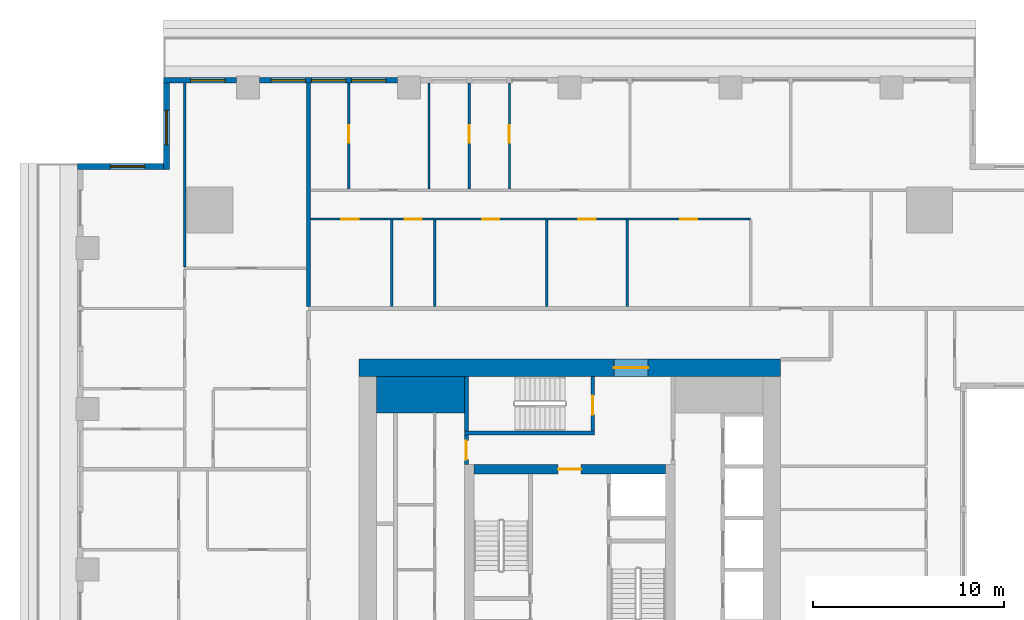
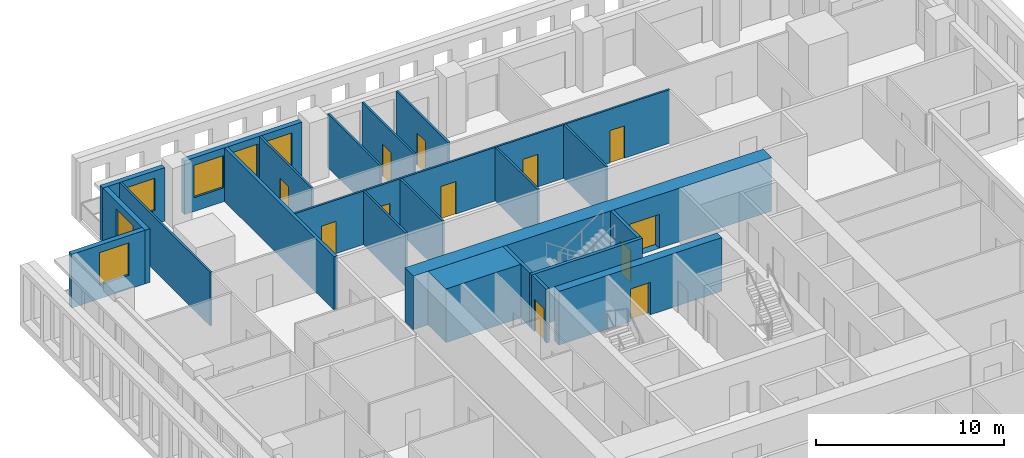
# One storey, part 7 of 15: 22 walls, 12 doors, 6 windows, 18 openings.
"""IFC4 building model written with IfcOpenShell, lengths in metres."""

from ifc_helpers import new_model, si_unit, direction, frame, frame_2d, origin, place, context, subcontext, project, spatial, rectangle, extrude, material, layer, layer_set, type_object, element, fill, save


model = new_model("IFC4")

# Units and contexts
model_context = context("Model", 3, precision=1e-05, world=origin(), true_north=direction((0.0, 1.0)))
body_context = subcontext(model_context, "Body", "Model", "MODEL_VIEW")
ifc_project = project(units=[si_unit("LENGTHUNIT", "METRE"), si_unit("AREAUNIT", "SQUARE_METRE"), si_unit("VOLUMEUNIT", "CUBIC_METRE"), si_unit("PLANEANGLEUNIT", "RADIAN"), si_unit("MASSUNIT", "GRAM", prefix="KILO")], contexts=[model_context])

# Site, building, storey
site_placement = place(None, origin())
site = spatial("IfcSite", under=ifc_project, at=site_placement, CompositionType="ELEMENT")
building_placement = place(site_placement, origin())
building = spatial("IfcBuilding", under=site, at=building_placement, Name="Khepri Terraces", CompositionType="ELEMENT")
storey_placement = place(building_placement, frame((0.0, 0.0, 215.699951171875)))
storey = spatial("IfcBuildingStorey", under=building, at=storey_placement, Name="L51", CompositionType="ELEMENT", Elevation=215.699951171875)

# Walls
ifc_material_1 = material(Name="Concrete C50/60", Category="concrete")
ifc_layer_1 = layer(ifc_material_1, 1.89990234375, Name="Concrete C50/60", Category="concrete")
ifc_layer_set_1 = layer_set([ifc_layer_1], Name="Concrete C50/60")
wall_type_1 = type_object("IfcWallType", Name="Core wall 1900 C50/60", PredefinedType="SHEAR", material=ifc_layer_set_1)
wall_1_placement = place(storey_placement, frame((-10.10009765625, 9.14990234375, 0.0), z_axis=(0.0, 0.0, 1.0), x_axis=(1.0, 0.0, 0.0)))
element("IfcWall", 1, at=wall_1_placement, inside=storey, type_object=wall_type_1, Name="Core wall PR03 L51", PredefinedType="SHEAR", context=body_context, shape_type="SweptSolid", body=[
    extrude(rectangle(XDim=4.60009765625, YDim=1.89990234375, at=frame_2d((2.300048828125, 0.0))), origin(), (0.0, 0.0, 1.0), 3.47998046875),
])
ifc_layer_2 = layer(ifc_material_1, 0.199951171875, Name="Concrete C50/60", Category="concrete")
ifc_layer_set_2 = layer_set([ifc_layer_2], Name="Concrete C50/60")
wall_type_2 = type_object("IfcWallType", Name="Core wall 200 C50/60", PredefinedType="SHEAR", material=ifc_layer_set_2)
wall_2_placement = place(storey_placement, frame((-5.5, 7.14990234375, 0.0), z_axis=(0.0, 0.0, 1.0), x_axis=(1.0, 0.0, 0.0)))
element("IfcWall", 2, at=wall_2_placement, inside=storey, type_object=wall_type_2, Name="Core wall ST05 L51", PredefinedType="SHEAR", context=body_context, shape_type="SweptSolid", body=[
    extrude(rectangle(XDim=6.800048828125, YDim=0.199951171875, at=frame_2d((3.39990234375, 0.0))), origin(), (0.0, 0.0, 1.0), 3.47998046875),
])
wall_3_placement = place(storey_placement, frame((-5.39990234375, 7.25, 0.0), z_axis=(0.0, 0.0, 1.0), x_axis=(0.0, 1.0, 0.0)))
element("IfcWall", 3, at=wall_3_placement, inside=storey, type_object=wall_type_2, Name="Core wall ST06 L51", PredefinedType="SHEAR", context=body_context, shape_type="SweptSolid", body=[
    extrude(rectangle(XDim=2.85009765625, YDim=0.199951171875, at=frame_2d((1.425048828125, 0.0))), origin(), (0.0, 0.0, 1.0), 3.47998046875),
])

# Wall, opening, door
wall_4_placement = place(storey_placement, frame((1.199951171875, 7.25, 0.0), z_axis=(0.0, 0.0, 1.0), x_axis=(0.0, 1.0, 0.0)))
wall_4 = element("IfcWall", 4, at=wall_4_placement, inside=storey, type_object=wall_type_2, Name="Core wall ST07 L51", PredefinedType="SHEAR", context=body_context, shape_type="SweptSolid", body=[
    extrude(rectangle(XDim=2.85009765625, YDim=0.199951171875, at=frame_2d((1.425048828125, 0.0))), origin(), (0.0, 0.0, 1.0), 3.47998046875),
])
opening_1_placement = place(wall_4_placement, frame((0.85009765625, 0.0, 0.0)))
opening_1 = element("IfcOpeningElement", 5, at=opening_1_placement, cuts=wall_4, Name="Opening L51-C15", PredefinedType="OPENING", context=body_context, shape_type="SweptSolid", body=[
    extrude(rectangle(XDim=1.0, YDim=2.10009765625, at=frame_2d((0.5, 1.050048828125))), frame((0.0, 0.10986328125, 0.0), z_axis=(0.0, -1.0, 0.0), x_axis=(1.0, 0.0, 0.0)), (0.0, 0.0, 1.0), 0.219970703125),
])
ifc_material_2 = material(Name="Painted steel", Category="steel")
door_type_1 = type_object("IfcDoorType", Name="DR-CORE-STAIR-1000", OperationType="NOTDEFINED", PredefinedType="DOOR", material=ifc_material_2)
door_1_placement = place(opening_1_placement, origin())
door_1 = element("IfcDoor", 6, at=door_1_placement, inside=storey, type_object=door_type_1, Name="Stair door L51-C15", OperationType="SINGLE_SWING_LEFT", OverallHeight=2.10009765625, OverallWidth=1.0, PredefinedType="DOOR", context=body_context, shape_type="SweptSolid", body=[
    extrude(rectangle(XDim=1.0, YDim=2.10009765625, at=frame_2d((0.5, 1.050048828125))), frame((0.0, 0.02490234375, 0.0), z_axis=(0.0, -1.0, 0.0), x_axis=(1.0, 0.0, 0.0)), (0.0, 0.0, 1.0), 0.050048828125),
])
fill(opening_1, door_1)

ifc_layer_3 = layer(ifc_material_1, 0.5, Name="Concrete C50/60", Category="concrete")
ifc_layer_set_3 = layer_set([ifc_layer_3], Name="Concrete C50/60")
wall_type_3 = type_object("IfcWallType", Name="Core wall 500 C50/60", PredefinedType="SHEAR", material=ifc_layer_set_3)
wall_5_placement = place(storey_placement, frame((-5.0, 5.25, 0.0), z_axis=(0.0, 0.0, 1.0), x_axis=(1.0, 0.0, 0.0)))
wall_5 = element("IfcWall", 7, at=wall_5_placement, inside=storey, type_object=wall_type_3, Name="Core wall BX04 L51", PredefinedType="SHEAR", context=body_context, shape_type="SweptSolid", body=[
    extrude(rectangle(XDim=10.0, YDim=0.5, at=frame_2d((5.0, 0.0))), origin(), (0.0, 0.0, 1.0), 3.47998046875),
])
opening_2_placement = place(wall_5_placement, frame((4.39990234375, 0.0, 0.0)))
opening_2 = element("IfcOpeningElement", 8, at=opening_2_placement, cuts=wall_5, Name="Opening L51-C13", PredefinedType="OPENING", context=body_context, shape_type="SweptSolid", body=[
    extrude(rectangle(XDim=1.199951171875, YDim=2.10009765625, at=frame_2d((0.60009765625, 1.050048828125))), frame((0.0, 0.260009765625, 0.0), z_axis=(0.0, -1.0, 0.0), x_axis=(1.0, 0.0, 0.0)), (0.0, 0.0, 1.0), 0.52001953125),
])
door_type_2 = type_object("IfcDoorType", Name="DR-CORE-FF-LOBBY-1200", OperationType="NOTDEFINED", PredefinedType="DOOR", material=ifc_material_2)
door_2_placement = place(opening_2_placement, frame((1.199951171875, 0.0, 0.0), z_axis=(0.0, 0.0, 1.0), x_axis=(-1.0, 0.0, 0.0)))
door_2 = element("IfcDoor", 9, at=door_2_placement, inside=storey, type_object=door_type_2, Name="Firefighting lobby door L51-C13", OperationType="SINGLE_SWING_LEFT", OverallHeight=2.10009765625, OverallWidth=1.199951171875, PredefinedType="DOOR", context=body_context, shape_type="SweptSolid", body=[
    extrude(rectangle(XDim=1.199951171875, YDim=2.10009765625, at=frame_2d((0.60009765625, 1.050048828125))), frame((0.0, 0.02490234375, 0.0), z_axis=(0.0, -1.0, 0.0), x_axis=(1.0, 0.0, 0.0)), (0.0, 0.0, 1.0), 0.050048828125),
])
fill(opening_2, door_2)

ifc_layer_4 = layer(ifc_material_1, 0.89990234375, Name="Concrete C50/60", Category="concrete")
ifc_layer_set_4 = layer_set([ifc_layer_4], Name="Concrete C50/60")
wall_type_4 = type_object("IfcWallType", Name="Core wall 900 C50/60", PredefinedType="SHEAR", material=ifc_layer_set_4)
wall_6_placement = place(storey_placement, frame((-11.0, 10.550048828125, 0.0), z_axis=(0.0, 0.0, 1.0), x_axis=(1.0, 0.0, 0.0)))
wall_6 = element("IfcWall", 10, at=wall_6_placement, inside=storey, type_object=wall_type_4, Name="Core wall OW-N L51", PredefinedType="SHEAR", context=body_context, shape_type="SweptSolid", body=[
    extrude(rectangle(XDim=22.0, YDim=0.89990234375, at=frame_2d((11.0, 0.0))), origin(), (0.0, 0.0, 1.0), 3.47998046875),
])
opening_3_placement = place(wall_6_placement, frame((13.300048828125, 0.0, 0.0)))
opening_3 = element("IfcOpeningElement", 11, at=opening_3_placement, cuts=wall_6, Name="Opening L51-C20", PredefinedType="OPENING", context=body_context, shape_type="SweptSolid", body=[
    extrude(rectangle(XDim=1.800048828125, YDim=2.199951171875, at=frame_2d((0.89990234375, 1.10009765625))), frame((0.0, 0.4599609375, 0.0), z_axis=(0.0, -1.0, 0.0), x_axis=(1.0, 0.0, 0.0)), (0.0, 0.0, 1.0), 0.919921875),
])
door_type_3 = type_object("IfcDoorType", Name="DR-CORE-ENTRANCE-1800", OperationType="NOTDEFINED", PredefinedType="DOOR", material=ifc_material_2)
door_3_placement = place(opening_3_placement, origin())
door_3 = element("IfcDoor", 12, at=door_3_placement, inside=storey, type_object=door_type_3, Name="Core entrance door pair L51-C20", OperationType="DOUBLE_DOOR_SINGLE_SWING", OverallHeight=2.199951171875, OverallWidth=1.800048828125, PredefinedType="DOOR", context=body_context, shape_type="SweptSolid", body=[
    extrude(rectangle(XDim=1.800048828125, YDim=2.199951171875, at=frame_2d((0.89990234375, 1.10009765625))), frame((0.0, 0.02490234375, 0.0), z_axis=(0.0, -1.0, 0.0), x_axis=(1.0, 0.0, 0.0)), (0.0, 0.0, 1.0), 0.050048828125),
])
fill(opening_3, door_3)

ifc_material_3 = material(Name="Fire-rated gypsum board partition")
ifc_layer_5 = layer(ifc_material_3, 0.199951171875, Name="Fire-rated gypsum board partition")
ifc_layer_set_5 = layer_set([ifc_layer_5], Name="Fire-rated gypsum board partition")
wall_type_5 = type_object("IfcWallType", Name="WL-CORE-PART-200", PredefinedType="PARTITIONING", material=ifc_layer_set_5)
wall_7_placement = place(storey_placement, frame((-5.39990234375, 5.5, 0.0), z_axis=(0.0, 0.0, 1.0), x_axis=(0.0, 1.0, 0.0)))
wall_7 = element("IfcWall", 13, at=wall_7_placement, inside=storey, type_object=wall_type_5, Name="Core partition PT11 L51", PredefinedType="PARTITIONING", context=body_context, shape_type="SweptSolid", body=[
    extrude(rectangle(XDim=1.550048828125, YDim=0.199951171875, at=frame_2d((0.77490234375, 0.0))), origin(), (0.0, 0.0, 1.0), 3.47998046875),
])
opening_4_placement = place(wall_7_placement, frame((0.25, 0.0, 0.0)))
opening_4 = element("IfcOpeningElement", 14, at=opening_4_placement, cuts=wall_7, Name="Opening L51-C16", PredefinedType="OPENING", context=body_context, shape_type="SweptSolid", body=[
    extrude(rectangle(XDim=1.0, YDim=2.10009765625, at=frame_2d((0.5, 1.050048828125))), frame((0.0, 0.10986328125, 0.0), z_axis=(0.0, -1.0, 0.0), x_axis=(1.0, 0.0, 0.0)), (0.0, 0.0, 1.0), 0.219970703125),
])
door_type_4 = type_object("IfcDoorType", Name="DR-CORE-LOBBY-1000", OperationType="NOTDEFINED", PredefinedType="DOOR", material=ifc_material_2)
door_4_placement = place(opening_4_placement, frame((1.0, 0.0, 0.0), z_axis=(0.0, 0.0, 1.0), x_axis=(-1.0, 0.0, 0.0)))
door_4 = element("IfcDoor", 15, at=door_4_placement, inside=storey, type_object=door_type_4, Name="Lobby door L51-C16", OperationType="SINGLE_SWING_RIGHT", OverallHeight=2.10009765625, OverallWidth=1.0, PredefinedType="DOOR", context=body_context, shape_type="SweptSolid", body=[
    extrude(rectangle(XDim=1.0, YDim=2.10009765625, at=frame_2d((0.5, 1.050048828125))), frame((0.0, 0.02490234375, 0.0), z_axis=(0.0, -1.0, 0.0), x_axis=(1.0, 0.0, 0.0)), (0.0, 0.0, 1.0), 0.050048828125),
])
fill(opening_4, door_4)

# Wall
ifc_material_4 = material(Name="Fire-rated gypsum plasterboard partition, mineral wool")
ifc_layer_6 = layer(ifc_material_4, 0.199951171875, Name="Fire-rated gypsum plasterboard partition, mineral wool")
ifc_layer_set_6 = layer_set([ifc_layer_6], Name="Fire-rated gypsum plasterboard partition, mineral wool")
wall_type_6 = type_object("IfcWallType", Name="WL-CORR-200", PredefinedType="PARTITIONING", material=ifc_layer_set_6)
wall_8_placement = place(storey_placement, frame((-13.64990234375, 13.75, 0.0), z_axis=(0.0, 0.0, 1.0), x_axis=(0.0, 1.0, 0.0)))
element("IfcWall", 16, at=wall_8_placement, inside=storey, type_object=wall_type_6, Name="Partition P-072 L51", PredefinedType="PARTITIONING", context=body_context, shape_type="SweptSolid", body=[
    extrude(rectangle(XDim=11.669921875, YDim=0.199951171875, at=frame_2d((5.8349609375, 0.0))), origin(), (0.0, 0.0, 1.0), 3.47998046875),
])

# Wall, openings, windows
ifc_material_5 = material(Name="Precast concrete C50/60 warm stone", Category="masonry")
ifc_layer_7 = layer(ifc_material_5, 0.300048828125, Name="Precast concrete C50/60 warm stone", Category="masonry")
ifc_layer_set_7 = layer_set([ifc_layer_7], Name="Precast concrete C50/60 warm stone")
wall_type_7 = type_object("IfcWallType", Name="WL-EXT-PRECAST-300", PredefinedType="STANDARD", material=ifc_layer_set_7)
wall_9_placement = place(storey_placement, frame((-9.0, 25.570068359375, 0.0), z_axis=(0.0, 0.0, 1.0), x_axis=(-1.0, 0.0, 0.0)))
wall_9 = element("IfcWall", 17, at=wall_9_placement, inside=storey, type_object=wall_type_7, Name="External wall L51 N", PredefinedType="STANDARD", context=body_context, shape_type="SweptSolid", body=[
    extrude(rectangle(XDim=7.199951171875, YDim=0.300048828125, at=frame_2d((3.60009765625, 0.0))), origin(), (0.0, 0.0, 1.0), 3.47998046875),
])
opening_5_placement = place(wall_9_placement, frame((0.60009765625, 0.0, 0.89990234375)))
opening_5 = element("IfcOpeningElement", 18, at=opening_5_placement, cuts=wall_9, Name="Opening W1", PredefinedType="OPENING", context=body_context, shape_type="SweptSolid", body=[
    extrude(rectangle(XDim=1.800048828125, YDim=2.10009765625, at=frame_2d((0.89990234375, 1.050048828125))), frame((0.0, 0.16015625, 0.0), z_axis=(0.0, -1.0, 0.0), x_axis=(1.0, 0.0, 0.0)), (0.0, 0.0, 1.0), 0.320068359375),
])
opening_6_placement = place(wall_9_placement, frame((2.699951171875, 0.0, 0.89990234375)))
opening_6 = element("IfcOpeningElement", 19, at=opening_6_placement, cuts=wall_9, Name="Opening W1", PredefinedType="OPENING", context=body_context, shape_type="SweptSolid", body=[
    extrude(rectangle(XDim=1.800048828125, YDim=2.10009765625, at=frame_2d((0.89990234375, 1.050048828125))), frame((0.0, 0.16015625, 0.0), z_axis=(0.0, -1.0, 0.0), x_axis=(1.0, 0.0, 0.0)), (0.0, 0.0, 1.0), 0.320068359375),
])
opening_7_placement = place(wall_9_placement, frame((4.800048828125, 0.0, 0.89990234375)))
opening_7 = element("IfcOpeningElement", 20, at=opening_7_placement, cuts=wall_9, Name="Opening W1", PredefinedType="OPENING", context=body_context, shape_type="SweptSolid", body=[
    extrude(rectangle(XDim=1.800048828125, YDim=2.10009765625, at=frame_2d((0.89990234375, 1.050048828125))), frame((0.0, 0.16015625, 0.0), z_axis=(0.0, -1.0, 0.0), x_axis=(1.0, 0.0, 0.0)), (0.0, 0.0, 1.0), 0.320068359375),
])
ifc_material_6 = material(Name="Clear glass", Category="glass")
window_type = type_object("IfcWindowType", Name="WIN-RES-1800x2100", PartitioningType="SINGLE_PANEL", PredefinedType="WINDOW", material=ifc_material_6)
window_1_placement = place(opening_5_placement, origin())
window_1 = element("IfcWindow", 21, at=window_1_placement, inside=storey, type_object=window_type, Name="Window L51 N", OverallHeight=2.10009765625, OverallWidth=1.800048828125, PartitioningType="SINGLE_PANEL", PredefinedType="WINDOW", context=body_context, shape_type="SweptSolid", body=[
    extrude(rectangle(XDim=1.800048828125, YDim=2.10009765625, at=frame_2d((0.89990234375, 1.050048828125))), frame((0.0, 0.030029296875, 0.0), z_axis=(0.0, -1.0, 0.0), x_axis=(1.0, 0.0, 0.0)), (0.0, 0.0, 1.0), 0.06005859375),
])
fill(opening_5, window_1)
window_2_placement = place(opening_6_placement, origin())
window_2 = element("IfcWindow", 22, at=window_2_placement, inside=storey, type_object=window_type, Name="Window L51 N", OverallHeight=2.10009765625, OverallWidth=1.800048828125, PartitioningType="SINGLE_PANEL", PredefinedType="WINDOW", context=body_context, shape_type="SweptSolid", body=[
    extrude(rectangle(XDim=1.800048828125, YDim=2.10009765625, at=frame_2d((0.89990234375, 1.050048828125))), frame((0.0, 0.030029296875, 0.0), z_axis=(0.0, -1.0, 0.0), x_axis=(1.0, 0.0, 0.0)), (0.0, 0.0, 1.0), 0.06005859375),
])
fill(opening_6, window_2)
window_3_placement = place(opening_7_placement, origin())
window_3 = element("IfcWindow", 23, at=window_3_placement, inside=storey, type_object=window_type, Name="Window L51 N", OverallHeight=2.10009765625, OverallWidth=1.800048828125, PartitioningType="SINGLE_PANEL", PredefinedType="WINDOW", context=body_context, shape_type="SweptSolid", body=[
    extrude(rectangle(XDim=1.800048828125, YDim=2.10009765625, at=frame_2d((0.89990234375, 1.050048828125))), frame((0.0, 0.030029296875, 0.0), z_axis=(0.0, -1.0, 0.0), x_axis=(1.0, 0.0, 0.0)), (0.0, 0.0, 1.0), 0.06005859375),
])
fill(opening_7, window_3)

# Wall, opening, window
wall_10_placement = place(storey_placement, frame((-17.39990234375, 25.570068359375, 0.0), z_axis=(0.0, 0.0, 1.0), x_axis=(-1.0, 0.0, 0.0)))
wall_10 = element("IfcWall", 24, at=wall_10_placement, inside=storey, type_object=wall_type_7, Name="External wall L51 N", PredefinedType="STANDARD", context=body_context, shape_type="SweptSolid", body=[
    extrude(rectangle(XDim=3.820068359375, YDim=0.300048828125, at=frame_2d((1.91015625, 0.0))), origin(), (0.0, 0.0, 1.0), 3.47998046875),
])
opening_8_placement = place(wall_10_placement, frame((0.60009765625, 0.0, 0.89990234375)))
opening_8 = element("IfcOpeningElement", 25, at=opening_8_placement, cuts=wall_10, Name="Opening W1", PredefinedType="OPENING", context=body_context, shape_type="SweptSolid", body=[
    extrude(rectangle(XDim=1.800048828125, YDim=2.10009765625, at=frame_2d((0.89990234375, 1.050048828125))), frame((0.0, 0.16015625, 0.0), z_axis=(0.0, -1.0, 0.0), x_axis=(1.0, 0.0, 0.0)), (0.0, 0.0, 1.0), 0.320068359375),
])
window_4_placement = place(opening_8_placement, origin())
window_4 = element("IfcWindow", 26, at=window_4_placement, inside=storey, type_object=window_type, Name="Window L51 N", OverallHeight=2.10009765625, OverallWidth=1.800048828125, PartitioningType="SINGLE_PANEL", PredefinedType="WINDOW", context=body_context, shape_type="SweptSolid", body=[
    extrude(rectangle(XDim=1.800048828125, YDim=2.10009765625, at=frame_2d((0.89990234375, 1.050048828125))), frame((0.0, 0.030029296875, 0.0), z_axis=(0.0, -1.0, 0.0), x_axis=(1.0, 0.0, 0.0)), (0.0, 0.0, 1.0), 0.06005859375),
])
fill(opening_8, window_4)

wall_11_placement = place(storey_placement, frame((-21.070068359375, 25.419921875, 0.0), z_axis=(0.0, 0.0, 1.0), x_axis=(0.0, -1.0, 0.0)))
wall_11 = element("IfcWall", 27, at=wall_11_placement, inside=storey, type_object=wall_type_7, Name="External wall L51 W", PredefinedType="STANDARD", context=body_context, shape_type="SweptSolid", body=[
    extrude(rectangle(XDim=4.5, YDim=0.300048828125, at=frame_2d((2.25, 0.0))), origin(), (0.0, 0.0, 1.0), 3.47998046875),
])
opening_9_placement = place(wall_11_placement, frame((1.419921875, 0.0, 0.89990234375)))
opening_9 = element("IfcOpeningElement", 28, at=opening_9_placement, cuts=wall_11, Name="Opening W1", PredefinedType="OPENING", context=body_context, shape_type="SweptSolid", body=[
    extrude(rectangle(XDim=1.800048828125, YDim=2.10009765625, at=frame_2d((0.89990234375, 1.050048828125))), frame((0.0, 0.16015625, 0.0), z_axis=(0.0, -1.0, 0.0), x_axis=(1.0, 0.0, 0.0)), (0.0, 0.0, 1.0), 0.320068359375),
])
window_5_placement = place(opening_9_placement, origin())
window_5 = element("IfcWindow", 29, at=window_5_placement, inside=storey, type_object=window_type, Name="Window L51 W", OverallHeight=2.10009765625, OverallWidth=1.800048828125, PartitioningType="SINGLE_PANEL", PredefinedType="WINDOW", context=body_context, shape_type="SweptSolid", body=[
    extrude(rectangle(XDim=1.800048828125, YDim=2.10009765625, at=frame_2d((0.89990234375, 1.050048828125))), frame((0.0, 0.030029296875, 0.0), z_axis=(0.0, -1.0, 0.0), x_axis=(1.0, 0.0, 0.0)), (0.0, 0.0, 1.0), 0.06005859375),
])
fill(opening_9, window_5)

wall_12_placement = place(storey_placement, frame((-21.219970703125, 21.070068359375, 0.0), z_axis=(0.0, 0.0, 1.0), x_axis=(-1.0, 0.0, 0.0)))
wall_12 = element("IfcWall", 30, at=wall_12_placement, inside=storey, type_object=wall_type_7, Name="External wall L51 N", PredefinedType="STANDARD", context=body_context, shape_type="SweptSolid", body=[
    extrude(rectangle(XDim=4.5, YDim=0.300048828125, at=frame_2d((2.25, 0.0))), origin(), (0.0, 0.0, 1.0), 3.47998046875),
])
opening_10_placement = place(wall_12_placement, frame((0.97998046875, 0.0, 0.89990234375)))
opening_10 = element("IfcOpeningElement", 31, at=opening_10_placement, cuts=wall_12, Name="Opening W1", PredefinedType="OPENING", context=body_context, shape_type="SweptSolid", body=[
    extrude(rectangle(XDim=1.800048828125, YDim=2.10009765625, at=frame_2d((0.89990234375, 1.050048828125))), frame((0.0, 0.16015625, 0.0), z_axis=(0.0, -1.0, 0.0), x_axis=(1.0, 0.0, 0.0)), (0.0, 0.0, 1.0), 0.320068359375),
])
window_6_placement = place(opening_10_placement, origin())
window_6 = element("IfcWindow", 32, at=window_6_placement, inside=storey, type_object=window_type, Name="Window L51 N", OverallHeight=2.10009765625, OverallWidth=1.800048828125, PartitioningType="SINGLE_PANEL", PredefinedType="WINDOW", context=body_context, shape_type="SweptSolid", body=[
    extrude(rectangle(XDim=1.800048828125, YDim=2.10009765625, at=frame_2d((0.89990234375, 1.050048828125))), frame((0.0, 0.030029296875, 0.0), z_axis=(0.0, -1.0, 0.0), x_axis=(1.0, 0.0, 0.0)), (0.0, 0.0, 1.0), 0.06005859375),
])
fill(opening_10, window_6)

# Walls
ifc_material_7 = material(Name="Gypsum plasterboard partition")
ifc_layer_8 = layer(ifc_material_7, 0.1201171875, Name="Gypsum plasterboard partition")
ifc_layer_set_8 = layer_set([ifc_layer_8], Name="Gypsum plasterboard partition")
wall_type_8 = type_object("IfcWallType", Name="WL-PART-120", PredefinedType="PARTITIONING", material=ifc_layer_set_8)
for number, where, z_axis, x_axis, name in (
    (33, (-9.300048828125, 13.75, 0.0), (0.0, 0.0, 1.0), (0.0, 1.0, 0.0), "Partition P-073 L51"),
    (34, (-7.050048828125, 13.75, 0.0), (0.0, 0.0, 1.0), (0.0, 1.0, 0.0), "Partition P-074 L51"),
    (35, (-1.199951171875, 13.75, 0.0), (0.0, 0.0, 1.0), (0.0, 1.0, 0.0), "Partition P-075 L51"),
    (36, (3.0, 13.75, 0.0), (0.0, 0.0, 1.0), (0.0, 1.0, 0.0), "Partition P-076 L51"),
):
    element("IfcWall", number, at=place(storey_placement, frame(where, z_axis=z_axis, x_axis=x_axis)), inside=storey, type_object=wall_type_8, Name=name, PredefinedType="PARTITIONING", context=body_context, shape_type="SweptSolid", body=[
        extrude(rectangle(XDim=4.510009765625, YDim=0.1201171875, at=frame_2d((2.2548828125, 0.0))), origin(), (0.0, 0.0, 1.0), 3.47998046875),
    ])
wall_13_placement = place(storey_placement, frame((-20.1201171875, 15.81005859375, 0.0), z_axis=(0.0, 0.0, 1.0), x_axis=(0.0, 1.0, 0.0)))
element("IfcWall", 37, at=wall_13_placement, inside=storey, type_object=wall_type_8, Name="Partition P-080 L51", PredefinedType="PARTITIONING", context=body_context, shape_type="SweptSolid", body=[
    extrude(rectangle(XDim=9.60986328125, YDim=0.1201171875, at=frame_2d((4.804931640625, 0.0))), origin(), (0.0, 0.0, 1.0), 3.47998046875),
])

# Wall, openings, doors
wall_14_placement = place(storey_placement, frame((-13.550048828125, 18.320068359375, 0.0), z_axis=(0.0, 0.0, 1.0), x_axis=(1.0, 0.0, 0.0)))
wall_14 = element("IfcWall", 38, at=wall_14_placement, inside=storey, type_object=wall_type_8, Name="Partition P-081 L51", PredefinedType="PARTITIONING", context=body_context, shape_type="SweptSolid", body=[
    extrude(rectangle(XDim=23.0, YDim=0.1201171875, at=frame_2d((11.5, 0.0))), origin(), (0.0, 0.0, 1.0), 3.47998046875),
])
opening_11_placement = place(wall_14_placement, frame((19.324951171875, 0.0, 0.0)))
opening_11 = element("IfcOpeningElement", 39, at=opening_11_placement, cuts=wall_14, Name="Opening D3", PredefinedType="OPENING", context=body_context, shape_type="SweptSolid", body=[
    extrude(rectangle(XDim=0.89990234375, YDim=2.10009765625, at=frame_2d((0.449951171875, 1.050048828125))), frame((0.0, 0.070068359375, 0.0), z_axis=(0.0, -1.0, 0.0), x_axis=(1.0, 0.0, 0.0)), (0.0, 0.0, 1.0), 0.14013671875),
])
opening_12_placement = place(wall_14_placement, frame((14.0, 0.0, 0.0)))
opening_12 = element("IfcOpeningElement", 40, at=opening_12_placement, cuts=wall_14, Name="Opening D3", PredefinedType="OPENING", context=body_context, shape_type="SweptSolid", body=[
    extrude(rectangle(XDim=0.89990234375, YDim=2.10009765625, at=frame_2d((0.449951171875, 1.050048828125))), frame((0.0, 0.070068359375, 0.0), z_axis=(0.0, -1.0, 0.0), x_axis=(1.0, 0.0, 0.0)), (0.0, 0.0, 1.0), 0.14013671875),
])
opening_13_placement = place(wall_14_placement, frame((8.97509765625, 0.0, 0.0)))
opening_13 = element("IfcOpeningElement", 41, at=opening_13_placement, cuts=wall_14, Name="Opening D3", PredefinedType="OPENING", context=body_context, shape_type="SweptSolid", body=[
    extrude(rectangle(XDim=0.89990234375, YDim=2.10009765625, at=frame_2d((0.449951171875, 1.050048828125))), frame((0.0, 0.070068359375, 0.0), z_axis=(0.0, -1.0, 0.0), x_axis=(1.0, 0.0, 0.0)), (0.0, 0.0, 1.0), 0.14013671875),
])
opening_14_placement = place(wall_14_placement, frame((4.925048828125, 0.0, 0.0)))
opening_14 = element("IfcOpeningElement", 42, at=opening_14_placement, cuts=wall_14, Name="Opening D4", PredefinedType="OPENING", context=body_context, shape_type="SweptSolid", body=[
    extrude(rectangle(XDim=0.89990234375, YDim=2.10009765625, at=frame_2d((0.449951171875, 1.050048828125))), frame((0.0, 0.070068359375, 0.0), z_axis=(0.0, -1.0, 0.0), x_axis=(1.0, 0.0, 0.0)), (0.0, 0.0, 1.0), 0.14013671875),
])
opening_15_placement = place(wall_14_placement, frame((1.625, 0.0, 0.0)))
opening_15 = element("IfcOpeningElement", 43, at=opening_15_placement, cuts=wall_14, Name="Opening D4", PredefinedType="OPENING", context=body_context, shape_type="SweptSolid", body=[
    extrude(rectangle(XDim=0.89990234375, YDim=2.10009765625, at=frame_2d((0.449951171875, 1.050048828125))), frame((0.0, 0.070068359375, 0.0), z_axis=(0.0, -1.0, 0.0), x_axis=(1.0, 0.0, 0.0)), (0.0, 0.0, 1.0), 0.14013671875),
])
ifc_material_8 = material(Name="Timber door leaf", Category="wood")
door_type_5 = type_object("IfcDoorType", Name="DR-INT-900", OperationType="NOTDEFINED", PredefinedType="DOOR", material=ifc_material_8)
door_5_placement = place(opening_11_placement, frame((0.89990234375, 0.0, 0.0), z_axis=(0.0, 0.0, 1.0), x_axis=(-1.0, 0.0, 0.0)))
door_5 = element("IfcDoor", 44, at=door_5_placement, inside=storey, type_object=door_type_5, Name="Door Kitchen", OperationType="SINGLE_SWING_LEFT", OverallHeight=2.10009765625, OverallWidth=0.89990234375, PredefinedType="DOOR", context=body_context, shape_type="SweptSolid", body=[
    extrude(rectangle(XDim=0.89990234375, YDim=2.10009765625, at=frame_2d((0.449951171875, 1.050048828125))), frame((0.0, 0.02490234375, 0.0), z_axis=(0.0, -1.0, 0.0), x_axis=(1.0, 0.0, 0.0)), (0.0, 0.0, 1.0), 0.050048828125),
])
fill(opening_11, door_5)
door_6_placement = place(opening_12_placement, frame((0.89990234375, 0.0, 0.0), z_axis=(0.0, 0.0, 1.0), x_axis=(-1.0, 0.0, 0.0)))
door_6 = element("IfcDoor", 45, at=door_6_placement, inside=storey, type_object=door_type_5, Name="Door Service Kitchen", OperationType="SINGLE_SWING_LEFT", OverallHeight=2.10009765625, OverallWidth=0.89990234375, PredefinedType="DOOR", context=body_context, shape_type="SweptSolid", body=[
    extrude(rectangle(XDim=0.89990234375, YDim=2.10009765625, at=frame_2d((0.449951171875, 1.050048828125))), frame((0.0, 0.02490234375, 0.0), z_axis=(0.0, -1.0, 0.0), x_axis=(1.0, 0.0, 0.0)), (0.0, 0.0, 1.0), 0.050048828125),
])
fill(opening_12, door_6)
door_7_placement = place(opening_13_placement, frame((0.89990234375, 0.0, 0.0), z_axis=(0.0, 0.0, 1.0), x_axis=(-1.0, 0.0, 0.0)))
door_7 = element("IfcDoor", 46, at=door_7_placement, inside=storey, type_object=door_type_5, Name="Door Staff Bedroom", OperationType="SINGLE_SWING_RIGHT", OverallHeight=2.10009765625, OverallWidth=0.89990234375, PredefinedType="DOOR", context=body_context, shape_type="SweptSolid", body=[
    extrude(rectangle(XDim=0.89990234375, YDim=2.10009765625, at=frame_2d((0.449951171875, 1.050048828125))), frame((0.0, 0.02490234375, 0.0), z_axis=(0.0, -1.0, 0.0), x_axis=(1.0, 0.0, 0.0)), (0.0, 0.0, 1.0), 0.050048828125),
])
fill(opening_13, door_7)
ifc_material_9 = material(Name="Timber door leaf, moisture resistant", Category="wood")
door_type_6 = type_object("IfcDoorType", Name="DR-WET-900", OperationType="NOTDEFINED", PredefinedType="DOOR", material=ifc_material_9)
door_8_placement = place(opening_14_placement, frame((0.89990234375, 0.0, 0.0), z_axis=(0.0, 0.0, 1.0), x_axis=(-1.0, 0.0, 0.0)))
door_8 = element("IfcDoor", 47, at=door_8_placement, inside=storey, type_object=door_type_6, Name="Door Powder Room", OperationType="SINGLE_SWING_RIGHT", OverallHeight=2.10009765625, OverallWidth=0.89990234375, PredefinedType="DOOR", context=body_context, shape_type="SweptSolid", body=[
    extrude(rectangle(XDim=0.89990234375, YDim=2.10009765625, at=frame_2d((0.449951171875, 1.050048828125))), frame((0.0, 0.02490234375, 0.0), z_axis=(0.0, -1.0, 0.0), x_axis=(1.0, 0.0, 0.0)), (0.0, 0.0, 1.0), 0.050048828125),
])
fill(opening_14, door_8)
door_9_placement = place(opening_15_placement, frame((0.89990234375, 0.0, 0.0), z_axis=(0.0, 0.0, 1.0), x_axis=(-1.0, 0.0, 0.0)))
door_9 = element("IfcDoor", 48, at=door_9_placement, inside=storey, type_object=door_type_6, Name="Door Guest Bathroom", OperationType="SINGLE_SWING_RIGHT", OverallHeight=2.10009765625, OverallWidth=0.89990234375, PredefinedType="DOOR", context=body_context, shape_type="SweptSolid", body=[
    extrude(rectangle(XDim=0.89990234375, YDim=2.10009765625, at=frame_2d((0.449951171875, 1.050048828125))), frame((0.0, 0.02490234375, 0.0), z_axis=(0.0, -1.0, 0.0), x_axis=(1.0, 0.0, 0.0)), (0.0, 0.0, 1.0), 0.050048828125),
])
fill(opening_15, door_9)

# Wall, opening, door
wall_15_placement = place(storey_placement, frame((-11.550048828125, 19.8798828125, 0.0), z_axis=(0.0, 0.0, 1.0), x_axis=(0.0, 1.0, 0.0)))
wall_15 = element("IfcWall", 49, at=wall_15_placement, inside=storey, type_object=wall_type_8, Name="Partition P-084 L51", PredefinedType="PARTITIONING", context=body_context, shape_type="SweptSolid", body=[
    extrude(rectangle(XDim=5.5400390625, YDim=0.1201171875, at=frame_2d((2.77001953125, 0.0))), origin(), (0.0, 0.0, 1.0), 3.47998046875),
])
opening_16_placement = place(wall_15_placement, frame((2.43994140625, 0.0, 0.0)))
opening_16 = element("IfcOpeningElement", 50, at=opening_16_placement, cuts=wall_15, Name="Opening D4", PredefinedType="OPENING", context=body_context, shape_type="SweptSolid", body=[
    extrude(rectangle(XDim=0.89990234375, YDim=2.10009765625, at=frame_2d((0.449951171875, 1.050048828125))), frame((0.0, 0.070068359375, 0.0), z_axis=(0.0, -1.0, 0.0), x_axis=(1.0, 0.0, 0.0)), (0.0, 0.0, 1.0), 0.14013671875),
])
door_10_placement = place(opening_16_placement, origin())
door_10 = element("IfcDoor", 51, at=door_10_placement, inside=storey, type_object=door_type_6, Name="Door Bathroom", OperationType="SINGLE_SWING_RIGHT", OverallHeight=2.10009765625, OverallWidth=0.89990234375, PredefinedType="DOOR", context=body_context, shape_type="SweptSolid", body=[
    extrude(rectangle(XDim=0.89990234375, YDim=2.10009765625, at=frame_2d((0.449951171875, 1.050048828125))), frame((0.0, 0.02490234375, 0.0), z_axis=(0.0, -1.0, 0.0), x_axis=(1.0, 0.0, 0.0)), (0.0, 0.0, 1.0), 0.050048828125),
])
fill(opening_16, door_10)

# Wall
wall_16_placement = place(storey_placement, frame((-7.35009765625, 19.8798828125, 0.0), z_axis=(0.0, 0.0, 1.0), x_axis=(0.0, 1.0, 0.0)))
element("IfcWall", 52, at=wall_16_placement, inside=storey, type_object=wall_type_8, Name="Partition P-085 L51", PredefinedType="PARTITIONING", context=body_context, shape_type="SweptSolid", body=[
    extrude(rectangle(XDim=5.5400390625, YDim=0.1201171875, at=frame_2d((2.77001953125, 0.0))), origin(), (0.0, 0.0, 1.0), 3.47998046875),
])

# Wall, opening, door
wall_17_placement = place(storey_placement, frame((-5.25, 19.8798828125, 0.0), z_axis=(0.0, 0.0, 1.0), x_axis=(0.0, 1.0, 0.0)))
wall_17 = element("IfcWall", 53, at=wall_17_placement, inside=storey, type_object=wall_type_8, Name="Partition P-086 L51", PredefinedType="PARTITIONING", context=body_context, shape_type="SweptSolid", body=[
    extrude(rectangle(XDim=5.5400390625, YDim=0.1201171875, at=frame_2d((2.77001953125, 0.0))), origin(), (0.0, 0.0, 1.0), 3.47998046875),
])
opening_17_placement = place(wall_17_placement, frame((2.43994140625, 0.0, 0.0)))
opening_17 = element("IfcOpeningElement", 54, at=opening_17_placement, cuts=wall_17, Name="Opening D4", PredefinedType="OPENING", context=body_context, shape_type="SweptSolid", body=[
    extrude(rectangle(XDim=0.89990234375, YDim=2.10009765625, at=frame_2d((0.449951171875, 1.050048828125))), frame((0.0, 0.070068359375, 0.0), z_axis=(0.0, -1.0, 0.0), x_axis=(1.0, 0.0, 0.0)), (0.0, 0.0, 1.0), 0.14013671875),
])
door_11_placement = place(opening_17_placement, origin())
door_11 = element("IfcDoor", 55, at=door_11_placement, inside=storey, type_object=door_type_6, Name="Door Bathroom", OperationType="SINGLE_SWING_RIGHT", OverallHeight=2.10009765625, OverallWidth=0.89990234375, PredefinedType="DOOR", context=body_context, shape_type="SweptSolid", body=[
    extrude(rectangle(XDim=0.89990234375, YDim=2.10009765625, at=frame_2d((0.449951171875, 1.050048828125))), frame((0.0, 0.02490234375, 0.0), z_axis=(0.0, -1.0, 0.0), x_axis=(1.0, 0.0, 0.0)), (0.0, 0.0, 1.0), 0.050048828125),
])
fill(opening_17, door_11)

wall_18_placement = place(storey_placement, frame((-3.14990234375, 19.8798828125, 0.0), z_axis=(0.0, 0.0, 1.0), x_axis=(0.0, 1.0, 0.0)))
wall_18 = element("IfcWall", 56, at=wall_18_placement, inside=storey, type_object=wall_type_8, Name="Partition P-087 L51", PredefinedType="PARTITIONING", context=body_context, shape_type="SweptSolid", body=[
    extrude(rectangle(XDim=5.5400390625, YDim=0.1201171875, at=frame_2d((2.77001953125, 0.0))), origin(), (0.0, 0.0, 1.0), 3.47998046875),
])
opening_18_placement = place(wall_18_placement, frame((2.43994140625, 0.0, 0.0)))
opening_18 = element("IfcOpeningElement", 57, at=opening_18_placement, cuts=wall_18, Name="Opening D3", PredefinedType="OPENING", context=body_context, shape_type="SweptSolid", body=[
    extrude(rectangle(XDim=0.89990234375, YDim=2.10009765625, at=frame_2d((0.449951171875, 1.050048828125))), frame((0.0, 0.070068359375, 0.0), z_axis=(0.0, -1.0, 0.0), x_axis=(1.0, 0.0, 0.0)), (0.0, 0.0, 1.0), 0.14013671875),
])
door_12_placement = place(opening_18_placement, origin())
door_12 = element("IfcDoor", 58, at=door_12_placement, inside=storey, type_object=door_type_5, Name="Door Dressing Room", OperationType="SINGLE_SWING_RIGHT", OverallHeight=2.10009765625, OverallWidth=0.89990234375, PredefinedType="DOOR", context=body_context, shape_type="SweptSolid", body=[
    extrude(rectangle(XDim=0.89990234375, YDim=2.10009765625, at=frame_2d((0.449951171875, 1.050048828125))), frame((0.0, 0.02490234375, 0.0), z_axis=(0.0, -1.0, 0.0), x_axis=(1.0, 0.0, 0.0)), (0.0, 0.0, 1.0), 0.050048828125),
])
fill(opening_18, door_12)

save(model, "model.ifc")
